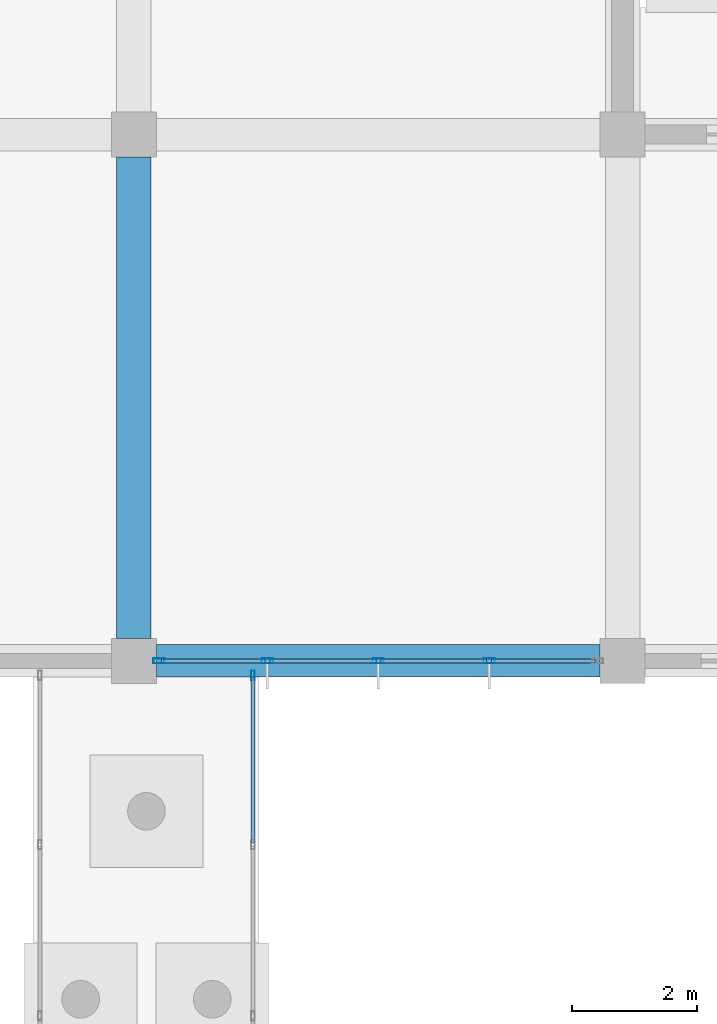
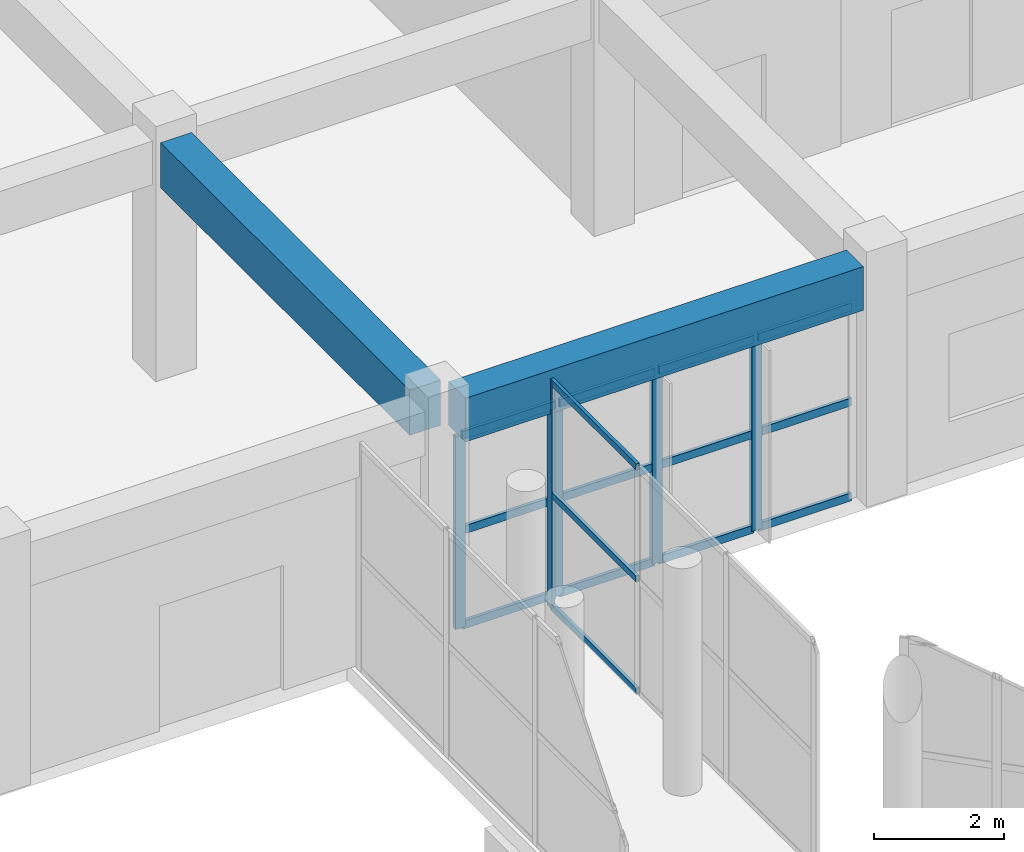
# One storey, part 63 of 139: 20 members, 2 beams, 2 elements without a shape of their own.
"""IFC4 building model written with IfcOpenShell, lengths in metres."""

from ifc_helpers import new_model, si_unit, direction, frame, origin, origin_2d, place, context, subcontext, project, spatial, rectangle, hollow_rectangle, extrude, material, layer, layer_set, material_profile, profile_set, type_object, element, aggregate, save


model = new_model("IFC4")

# Units and contexts
model_context = context("Model", 3, precision=1e-05, world=origin(), true_north=direction((0.0, 1.0)))
body_context = subcontext(model_context, "Body", "Model", "MODEL_VIEW")
ifc_project = project(units=[si_unit("LENGTHUNIT", "METRE"), si_unit("AREAUNIT", "SQUARE_METRE"), si_unit("VOLUMEUNIT", "CUBIC_METRE"), si_unit("PLANEANGLEUNIT", "RADIAN"), si_unit("MASSUNIT", "GRAM", prefix="KILO")], contexts=[model_context])

# Site, building, storey
site_placement = place(None, origin())
site = spatial("IfcSite", under=ifc_project, at=site_placement, CompositionType="ELEMENT")
building_placement = place(site_placement, origin())
building = spatial("IfcBuilding", under=site, at=building_placement, Name="Zizhar Promenade General Hospital", CompositionType="ELEMENT")
storey_placement = place(building_placement, origin())
storey = spatial("IfcBuildingStorey", under=building, at=storey_placement, Name="L00", CompositionType="ELEMENT", Elevation=0.0)

# Beams
ifc_material_1 = material(Name="Concrete C35/45", Category="concrete")
ifc_material_profile_1 = material_profile(ifc_material_1, rectangle(XDim=0.52001953125, YDim=0.820068359375, at=origin_2d()))
ifc_profile_set_1 = profile_set([ifc_material_profile_1], Name="Concrete C35/45")
beam_type_1 = type_object("IfcBeamType", Name="BM-RC-520x820", PredefinedType="BEAM", material=ifc_profile_set_1)
beam_1_placement = place(storey_placement, frame((164.159912109375, 42.0, 4.06005859375), z_axis=(1.0, 0.0, 0.0), x_axis=(0.0, 1.0, 0.0)))
element("IfcBeam", 1, at=beam_1_placement, inside=storey, type_object=beam_type_1, Name="Grid Beam X L00 (21-5)", PredefinedType="BEAM", context=body_context, shape_type="SweptSolid", body=[
    extrude(rectangle(XDim=0.52001953125, YDim=0.820068359375, at=origin_2d()), origin(), (0.0, 0.0, 1.0), 7.080078125),
])
ifc_material_2 = material(Name="Concrete C35/45", Category="concrete")
ifc_material_profile_2 = material_profile(ifc_material_2, rectangle(XDim=0.550048828125, YDim=0.85009765625, at=origin_2d()))
ifc_profile_set_2 = profile_set([ifc_material_profile_2], Name="Concrete C35/45")
beam_type_2 = type_object("IfcBeamType", Name="BM-RC-550x850", PredefinedType="BEAM", material=ifc_profile_set_2)
beam_2_placement = place(storey_placement, frame((163.800048828125, 42.360107421875, 4.044921875), z_axis=(0.0, 1.0, 0.0), x_axis=(-1.0, 0.0, 0.0)))
element("IfcBeam", 2, at=beam_2_placement, inside=storey, type_object=beam_type_2, Name="Grid Beam Y L00 (21-5)", PredefinedType="BEAM", context=body_context, shape_type="SweptSolid", body=[
    extrude(rectangle(XDim=0.550048828125, YDim=0.85009765625, at=origin_2d()), origin(), (0.0, 0.0, 1.0), 7.679931640625),
])

# Curtain wall, member
ifc_material_3 = material(Name="Anodised aluminium 6063-T6 and low-E glass", Category="aluminium")
ifc_layer_1 = layer(ifc_material_3, 0.159912109375)
ifc_layer_set_1 = layer_set([ifc_layer_1], Name="Anodised aluminium 6063-T6 and low-E glass")
curtain_wall_type_1 = type_object("IfcCurtainWallType", Name="CW-PAV-GLZ", PredefinedType="NOTDEFINED", material=ifc_layer_set_1)
curtain_wall_1_placement = place(storey_placement, origin())
curtain_wall_1 = element("IfcCurtainWall", 3, at=curtain_wall_1_placement, inside=storey, type_object=curtain_wall_type_1, Name="Pharmacy Collection Pavilion Link East Glazing", PredefinedType="NOTDEFINED")
ifc_material_4 = material(Name="Anodised aluminium 6063-T6", Category="aluminium")
ifc_material_profile_3 = material_profile(ifc_material_4, hollow_rectangle(XDim=0.06005859375, YDim=0.14990234375, WallThickness=0.00390625, at=origin_2d()))
ifc_profile_set_3 = profile_set([ifc_material_profile_3], Name="Anodised aluminium 6063-T6")
member_type_1 = type_object("IfcMemberType", Name="CWM-ALU-150x60", PredefinedType="MULLION", material=ifc_profile_set_3)
member_1_placement = place(storey_placement, frame((165.699951171875, 41.77001953125, 0.0), z_axis=(0.0, 0.0, 1.0), x_axis=(1.0, 0.0, 0.0)))
member_1 = element("IfcMember", 4, at=member_1_placement, type_object=member_type_1, Name="CW-14 mullion 1", PredefinedType="MULLION", context=body_context, shape_type="SweptSolid", body=[
    extrude(hollow_rectangle(XDim=0.06005859375, YDim=0.14990234375, WallThickness=0.00390625, at=origin_2d()), origin(), (0.0, 0.0, 1.0), 4.280029296875),
])

# Curtain wall, members
ifc_material_5 = material(Name="Anodised aluminium 6063-T6 and low-E glass", Category="aluminium")
ifc_layer_2 = layer(ifc_material_5, 0.159912109375)
ifc_layer_set_2 = layer_set([ifc_layer_2], Name="Anodised aluminium 6063-T6 and low-E glass")
curtain_wall_type_2 = type_object("IfcCurtainWallType", Name="CW-CLN-EXT", PredefinedType="NOTDEFINED", material=ifc_layer_set_2)
curtain_wall_2_placement = place(storey_placement, origin())
curtain_wall_2 = element("IfcCurtainWall", 5, at=curtain_wall_2_placement, inside=storey, type_object=curtain_wall_type_2, Name="Outpatient Forecourt Curtain Wall L00-21", PredefinedType="NOTDEFINED")
ifc_material_6 = material(Name="Anodised aluminium 6063-T6", Category="aluminium")
ifc_material_profile_4 = material_profile(ifc_material_6, hollow_rectangle(XDim=0.080078125, YDim=0.179931640625, WallThickness=0.0048828125, at=origin_2d()))
ifc_profile_set_4 = profile_set([ifc_material_profile_4], Name="Anodised aluminium 6063-T6")
member_type_2 = type_object("IfcMemberType", Name="CWM-ALU-180x80", PredefinedType="MULLION", material=ifc_profile_set_4)
member_2_placement = place(storey_placement, frame((169.469970703125, 42.0, 0.0), z_axis=(0.0, 0.0, 1.0), x_axis=(0.0, -1.0, 0.0)))
member_2 = element("IfcMember", 6, at=member_2_placement, type_object=member_type_2, Name="CW-09 mullion 2", PredefinedType="MULLION", context=body_context, shape_type="SweptSolid", body=[
    extrude(hollow_rectangle(XDim=0.080078125, YDim=0.179931640625, WallThickness=0.0048828125, at=origin_2d()), origin(), (0.0, 0.0, 1.0), 3.6298828125),
])
member_3_placement = place(storey_placement, frame((167.699951171875, 42.0, 0.0), z_axis=(0.0, 0.0, 1.0), x_axis=(0.0, -1.0, 0.0)))
member_3 = element("IfcMember", 7, at=member_3_placement, type_object=member_type_2, Name="CW-09 mullion 3", PredefinedType="MULLION", context=body_context, shape_type="SweptSolid", body=[
    extrude(hollow_rectangle(XDim=0.080078125, YDim=0.179931640625, WallThickness=0.0048828125, at=origin_2d()), origin(), (0.0, 0.0, 1.0), 3.6298828125),
])
member_4_placement = place(storey_placement, frame((165.929931640625, 42.0, 0.0), z_axis=(0.0, 0.0, 1.0), x_axis=(0.0, -1.0, 0.0)))
member_4 = element("IfcMember", 8, at=member_4_placement, type_object=member_type_2, Name="CW-09 mullion 4", PredefinedType="MULLION", context=body_context, shape_type="SweptSolid", body=[
    extrude(hollow_rectangle(XDim=0.080078125, YDim=0.179931640625, WallThickness=0.0048828125, at=origin_2d()), origin(), (0.0, 0.0, 1.0), 3.6298828125),
])
member_5_placement = place(storey_placement, frame((164.199951171875, 42.0, 0.0), z_axis=(0.0, 0.0, 1.0), x_axis=(0.0, -1.0, 0.0)))
member_5 = element("IfcMember", 9, at=member_5_placement, type_object=member_type_2, Name="CW-09 mullion 5", PredefinedType="MULLION", context=body_context, shape_type="SweptSolid", body=[
    extrude(hollow_rectangle(XDim=0.080078125, YDim=0.179931640625, WallThickness=0.0048828125, at=origin_2d()), origin(), (0.0, 0.0, 1.0), 3.6298828125),
])

# Member
ifc_material_7 = material(Name="Anodised aluminium 6063-T6", Category="aluminium")
ifc_material_profile_5 = material_profile(ifc_material_7, hollow_rectangle(XDim=0.06005859375, YDim=0.1201171875, WallThickness=0.00390625, at=origin_2d()))
ifc_profile_set_5 = profile_set([ifc_material_profile_5], Name="Anodised aluminium 6063-T6")
member_type_3 = type_object("IfcMemberType", Name="CWT-ALU-120x60", PredefinedType="USERDEFINED", material=ifc_profile_set_5)
member_6_placement = place(storey_placement, frame((165.699951171875, 41.739990234375, 0.030029296875), z_axis=(0.0, -1.0, 0.0), x_axis=(1.0, 0.0, 0.0)))
member_6 = element("IfcMember", 10, at=member_6_placement, type_object=member_type_3, Name="CW-14 transom 1.1", ObjectType="TRANSOM", PredefinedType="USERDEFINED", context=body_context, shape_type="SweptSolid", body=[
    extrude(hollow_rectangle(XDim=0.06005859375, YDim=0.1201171875, WallThickness=0.00390625, at=origin_2d()), origin(), (0.0, 0.0, 1.0), 2.643310546875),
])

member_7_placement = place(storey_placement, frame((165.699951171875, 41.739990234375, 2.139892578125), z_axis=(0.0, -1.0, 0.0), x_axis=(1.0, 0.0, 0.0)))
member_7 = element("IfcMember", 11, at=member_7_placement, type_object=member_type_3, Name="CW-14 transom 1.2", ObjectType="TRANSOM", PredefinedType="USERDEFINED", context=body_context, shape_type="SweptSolid", body=[
    extrude(hollow_rectangle(XDim=0.06005859375, YDim=0.1201171875, WallThickness=0.00390625, at=origin_2d()), origin(), (0.0, 0.0, 1.0), 2.643310546875),
])

member_8_placement = place(storey_placement, frame((165.699951171875, 41.739990234375, 4.25), z_axis=(0.0, -1.0, 0.0), x_axis=(1.0, 0.0, 0.0)))
member_8 = element("IfcMember", 12, at=member_8_placement, type_object=member_type_3, Name="CW-14 transom 1.3", ObjectType="TRANSOM", PredefinedType="USERDEFINED", context=body_context, shape_type="SweptSolid", body=[
    extrude(hollow_rectangle(XDim=0.06005859375, YDim=0.1201171875, WallThickness=0.00390625, at=origin_2d()), origin(), (0.0, 0.0, 1.0), 2.643310546875),
])

aggregate(curtain_wall_1, [member_1, member_6, member_7, member_8])

ifc_material_8 = material(Name="Anodised aluminium 6063-T6", Category="aluminium")
ifc_material_profile_6 = material_profile(ifc_material_8, hollow_rectangle(XDim=0.06005859375, YDim=0.14990234375, WallThickness=0.00390625, at=origin_2d()))
ifc_profile_set_6 = profile_set([ifc_material_profile_6], Name="Anodised aluminium 6063-T6")
member_type_4 = type_object("IfcMemberType", Name="CWT-ALU-150x60", PredefinedType="USERDEFINED", material=ifc_profile_set_6)
member_9_placement = place(storey_placement, frame((171.159912109375, 42.0, 0.030029296875), z_axis=(-1.0, 0.0, 0.0), x_axis=(0.0, -1.0, 0.0)))
member_9 = element("IfcMember", 13, at=member_9_placement, type_object=member_type_4, Name="CW-09 transom 1.1", ObjectType="TRANSOM", PredefinedType="USERDEFINED", context=body_context, shape_type="SweptSolid", body=[
    extrude(hollow_rectangle(XDim=0.06005859375, YDim=0.14990234375, WallThickness=0.00390625, at=origin_2d()), origin(), (0.0, 0.0, 1.0), 1.64990234375),
])

member_10_placement = place(storey_placement, frame((171.159912109375, 42.0, 1.81494140625), z_axis=(-1.0, 0.0, 0.0), x_axis=(0.0, -1.0, 0.0)))
member_10 = element("IfcMember", 14, at=member_10_placement, type_object=member_type_4, Name="CW-09 transom 1.2", ObjectType="TRANSOM", PredefinedType="USERDEFINED", context=body_context, shape_type="SweptSolid", body=[
    extrude(hollow_rectangle(XDim=0.06005859375, YDim=0.14990234375, WallThickness=0.00390625, at=origin_2d()), origin(), (0.0, 0.0, 1.0), 1.64990234375),
])

member_11_placement = place(storey_placement, frame((171.159912109375, 42.0, 3.60009765625), z_axis=(-1.0, 0.0, 0.0), x_axis=(0.0, -1.0, 0.0)))
member_11 = element("IfcMember", 15, at=member_11_placement, type_object=member_type_4, Name="CW-09 transom 1.3", ObjectType="TRANSOM", PredefinedType="USERDEFINED", context=body_context, shape_type="SweptSolid", body=[
    extrude(hollow_rectangle(XDim=0.06005859375, YDim=0.14990234375, WallThickness=0.00390625, at=origin_2d()), origin(), (0.0, 0.0, 1.0), 1.64990234375),
])

member_12_placement = place(storey_placement, frame((169.429931640625, 42.0, 0.030029296875), z_axis=(-1.0, 0.0, 0.0), x_axis=(0.0, -1.0, 0.0)))
member_12 = element("IfcMember", 16, at=member_12_placement, type_object=member_type_4, Name="CW-09 transom 2.1", ObjectType="TRANSOM", PredefinedType="USERDEFINED", context=body_context, shape_type="SweptSolid", body=[
    extrude(hollow_rectangle(XDim=0.06005859375, YDim=0.14990234375, WallThickness=0.00390625, at=origin_2d()), origin(), (0.0, 0.0, 1.0), 1.68994140625),
])

member_13_placement = place(storey_placement, frame((169.429931640625, 42.0, 1.81494140625), z_axis=(-1.0, 0.0, 0.0), x_axis=(0.0, -1.0, 0.0)))
member_13 = element("IfcMember", 17, at=member_13_placement, type_object=member_type_4, Name="CW-09 transom 2.2", ObjectType="TRANSOM", PredefinedType="USERDEFINED", context=body_context, shape_type="SweptSolid", body=[
    extrude(hollow_rectangle(XDim=0.06005859375, YDim=0.14990234375, WallThickness=0.00390625, at=origin_2d()), origin(), (0.0, 0.0, 1.0), 1.68994140625),
])

member_14_placement = place(storey_placement, frame((169.429931640625, 42.0, 3.60009765625), z_axis=(-1.0, 0.0, 0.0), x_axis=(0.0, -1.0, 0.0)))
member_14 = element("IfcMember", 18, at=member_14_placement, type_object=member_type_4, Name="CW-09 transom 2.3", ObjectType="TRANSOM", PredefinedType="USERDEFINED", context=body_context, shape_type="SweptSolid", body=[
    extrude(hollow_rectangle(XDim=0.06005859375, YDim=0.14990234375, WallThickness=0.00390625, at=origin_2d()), origin(), (0.0, 0.0, 1.0), 1.68994140625),
])

member_15_placement = place(storey_placement, frame((167.659912109375, 42.0, 0.030029296875), z_axis=(-1.0, 0.0, 0.0), x_axis=(0.0, -1.0, 0.0)))
member_15 = element("IfcMember", 19, at=member_15_placement, type_object=member_type_4, Name="CW-09 transom 3.1", ObjectType="TRANSOM", PredefinedType="USERDEFINED", context=body_context, shape_type="SweptSolid", body=[
    extrude(hollow_rectangle(XDim=0.06005859375, YDim=0.14990234375, WallThickness=0.00390625, at=origin_2d()), origin(), (0.0, 0.0, 1.0), 1.68994140625),
])

member_16_placement = place(storey_placement, frame((167.659912109375, 42.0, 1.81494140625), z_axis=(-1.0, 0.0, 0.0), x_axis=(0.0, -1.0, 0.0)))
member_16 = element("IfcMember", 20, at=member_16_placement, type_object=member_type_4, Name="CW-09 transom 3.2", ObjectType="TRANSOM", PredefinedType="USERDEFINED", context=body_context, shape_type="SweptSolid", body=[
    extrude(hollow_rectangle(XDim=0.06005859375, YDim=0.14990234375, WallThickness=0.00390625, at=origin_2d()), origin(), (0.0, 0.0, 1.0), 1.68994140625),
])

member_17_placement = place(storey_placement, frame((167.659912109375, 42.0, 3.60009765625), z_axis=(-1.0, 0.0, 0.0), x_axis=(0.0, -1.0, 0.0)))
member_17 = element("IfcMember", 21, at=member_17_placement, type_object=member_type_4, Name="CW-09 transom 3.3", ObjectType="TRANSOM", PredefinedType="USERDEFINED", context=body_context, shape_type="SweptSolid", body=[
    extrude(hollow_rectangle(XDim=0.06005859375, YDim=0.14990234375, WallThickness=0.00390625, at=origin_2d()), origin(), (0.0, 0.0, 1.0), 1.68994140625),
])

member_18_placement = place(storey_placement, frame((165.889892578125, 42.0, 0.030029296875), z_axis=(-1.0, 0.0, 0.0), x_axis=(0.0, -1.0, 0.0)))
member_18 = element("IfcMember", 22, at=member_18_placement, type_object=member_type_4, Name="CW-09 transom 4.1", ObjectType="TRANSOM", PredefinedType="USERDEFINED", context=body_context, shape_type="SweptSolid", body=[
    extrude(hollow_rectangle(XDim=0.06005859375, YDim=0.14990234375, WallThickness=0.00390625, at=origin_2d()), origin(), (0.0, 0.0, 1.0), 1.64990234375),
])

member_19_placement = place(storey_placement, frame((165.889892578125, 42.0, 1.81494140625), z_axis=(-1.0, 0.0, 0.0), x_axis=(0.0, -1.0, 0.0)))
member_19 = element("IfcMember", 23, at=member_19_placement, type_object=member_type_4, Name="CW-09 transom 4.2", ObjectType="TRANSOM", PredefinedType="USERDEFINED", context=body_context, shape_type="SweptSolid", body=[
    extrude(hollow_rectangle(XDim=0.06005859375, YDim=0.14990234375, WallThickness=0.00390625, at=origin_2d()), origin(), (0.0, 0.0, 1.0), 1.64990234375),
])

member_20_placement = place(storey_placement, frame((165.889892578125, 42.0, 3.60009765625), z_axis=(-1.0, 0.0, 0.0), x_axis=(0.0, -1.0, 0.0)))
member_20 = element("IfcMember", 24, at=member_20_placement, type_object=member_type_4, Name="CW-09 transom 4.3", ObjectType="TRANSOM", PredefinedType="USERDEFINED", context=body_context, shape_type="SweptSolid", body=[
    extrude(hollow_rectangle(XDim=0.06005859375, YDim=0.14990234375, WallThickness=0.00390625, at=origin_2d()), origin(), (0.0, 0.0, 1.0), 1.64990234375),
])

aggregate(curtain_wall_2, [member_2, member_3, member_4, member_5, member_9, member_10, member_11, member_12, member_13, member_14, member_15, member_16, member_17, member_18, member_19, member_20])

save(model, "model.ifc")
